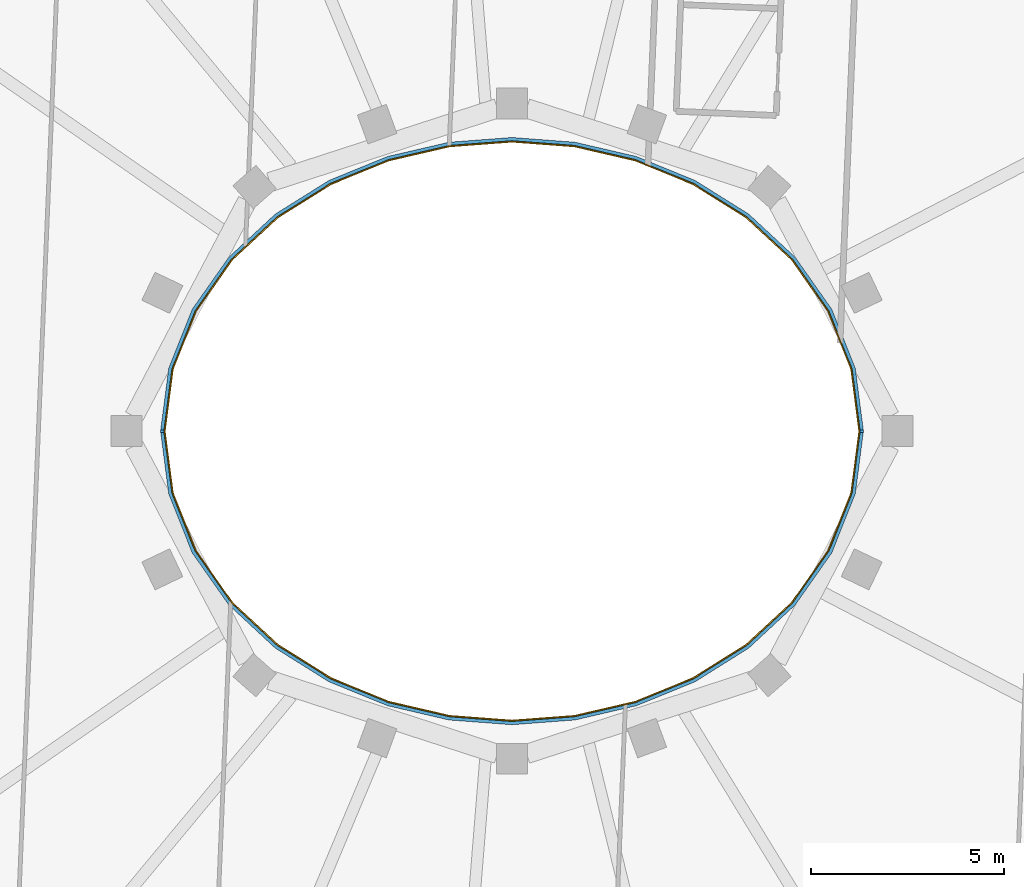
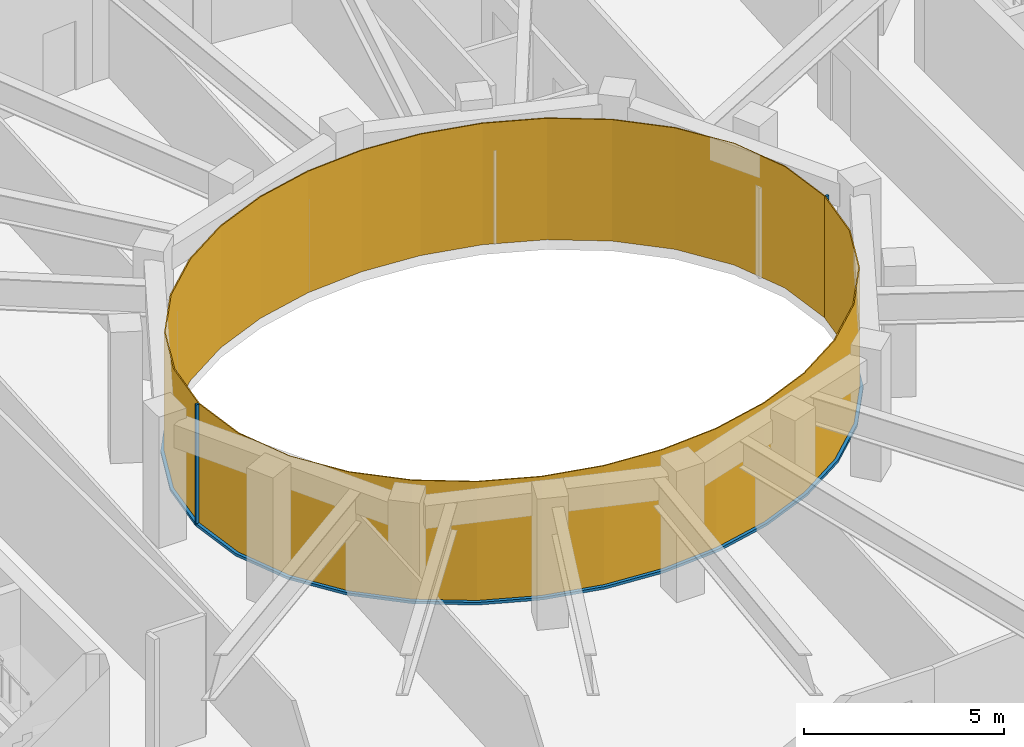
# One storey, part 9 of 14: 4 members, 2 curtain walls.
"""IFC4 building model written with IfcOpenShell, lengths in metres."""

from ifc_helpers import new_model, si_unit, direction, frame, origin, origin_2d, place, context, subcontext, project, spatial, polyline, rectangle, outline, extrude, material, layer, layer_set, material_profile, profile_set, type_object, element, aggregate, save


model = new_model("IFC4")

# Units and contexts
model_context = context("Model", 3, precision=1e-05, world=origin(), true_north=direction((0.0, 1.0)))
body_context = subcontext(model_context, "Body", "Model", "MODEL_VIEW")
ifc_project = project(units=[si_unit("LENGTHUNIT", "METRE"), si_unit("AREAUNIT", "SQUARE_METRE"), si_unit("VOLUMEUNIT", "CUBIC_METRE"), si_unit("PLANEANGLEUNIT", "RADIAN"), si_unit("MASSUNIT", "GRAM", prefix="KILO")], contexts=[model_context])

# Member
ifc_material_1 = material(Name="Steel S355 fire-resisting frame", Category="steel")
ifc_material_profile = material_profile(ifc_material_1, rectangle(XDim=0.090087890625, YDim=0.06005859375, at=origin_2d()), Name="90x60")
ifc_profile_set = profile_set([ifc_material_profile], Name="Steel S355 fire-resisting frame")
member_type_1 = type_object("IfcMemberType", Name="ENV-MULLION-W-90", PredefinedType="MULLION", material=ifc_profile_set)
site_placement = place(None, origin())
building_placement = place(site_placement, origin())
storey_placement = place(building_placement, frame((0.0, 0.0, 335.0)))
member_1_placement = place(storey_placement, frame((9.076904296875, 0.0, 0.0), z_axis=(0.0, 0.0, 1.0), x_axis=(1.0, 0.0, 0.0)))
member_1 = element("IfcMember", 1, at=member_1_placement, type_object=member_type_1, Name="Mullion W well vertex 01", PredefinedType="MULLION", context=body_context, shape_type="SweptSolid", body=[
    extrude(rectangle(XDim=0.090087890625, YDim=0.06005859375, at=origin_2d()), origin(), (0.0, 0.0, 1.0), 3.699951171875),
])

member_2_placement = place(storey_placement, frame((-9.076904296875, 0.0, 0.0), z_axis=(0.0, 0.0, 1.0), x_axis=(-1.0, 0.0, 0.0)))
member_2 = element("IfcMember", 2, at=member_2_placement, type_object=member_type_1, Name="Mullion W well vertex 17", PredefinedType="MULLION", context=body_context, shape_type="SweptSolid", body=[
    extrude(rectangle(XDim=0.090087890625, YDim=0.06005859375, at=origin_2d()), origin(), (0.0, 0.0, 1.0), 3.699951171875),
])

ifc_material_2 = material(Name="Steel S355 fire-resisting frame", Category="steel")
member_type_2 = type_object("IfcMemberType", Name="ENV-TRANSOM-W", PredefinedType="USERDEFINED", material=ifc_material_2)
member_3_placement = place(storey_placement, origin())
member_3 = element("IfcMember", 3, at=member_3_placement, type_object=member_type_2, Name="Transom W well 01-17", ObjectType="TRANSOM", PredefinedType="USERDEFINED", context=body_context, shape_type="SweptSolid", body=[
    extrude(outline(polyline([(9.119384765625, 0.02783203125), (8.910400390625, 1.63623046875), (8.29833984375, 3.167236328125), (7.35107421875, 4.5146484375), (6.1455078125, 5.6337890625), (4.75341796875, 6.50634765625), (3.233642578125, 7.127685546875), (1.635498046875, 7.498779296875), (0.0, 7.622314453125), (-1.635498046875, 7.498779296875), (-3.233642578125, 7.127685546875), (-4.75341796875, 6.50634765625), (-6.1455078125, 5.6337890625), (-7.35107421875, 4.5146484375), (-8.29833984375, 3.167236328125), (-8.910400390625, 1.63623046875), (-9.119384765625, 0.02783203125), (-9.02880859375, 0.02783203125), (-8.822509765625, 1.61328125), (-8.21875, 3.124267578125), (-7.282958984375, 4.455078125), (-6.090576171875, 5.56201171875), (-4.712158203125, 6.426025390625), (-3.206298828125, 7.04150390625), (-1.621826171875, 7.40966796875), (0.0, 7.531982421875), (1.621826171875, 7.40966796875), (3.206298828125, 7.04150390625), (4.712158203125, 6.426025390625), (6.090576171875, 5.56201171875), (7.282958984375, 4.455078125), (8.21875, 3.124267578125), (8.822509765625, 1.61328125), (9.02880859375, 0.02783203125), (9.119384765625, 0.02783203125)])), origin(), (0.0, 0.0, 1.0), 0.080078125),
])

member_4_placement = place(storey_placement, origin())
member_4 = element("IfcMember", 4, at=member_4_placement, type_object=member_type_2, Name="Transom W well 17-01", ObjectType="TRANSOM", PredefinedType="USERDEFINED", context=body_context, shape_type="SweptSolid", body=[
    extrude(outline(polyline([(-9.119384765625, -0.02783203125), (-8.910400390625, -1.63623046875), (-8.29833984375, -3.167236328125), (-7.35107421875, -4.5146484375), (-6.1455078125, -5.6337890625), (-4.75341796875, -6.50634765625), (-3.233642578125, -7.127685546875), (-1.635498046875, -7.498779296875), (0.0, -7.622314453125), (1.635498046875, -7.498779296875), (3.233642578125, -7.127685546875), (4.75341796875, -6.50634765625), (6.1455078125, -5.6337890625), (7.35107421875, -4.5146484375), (8.29833984375, -3.167236328125), (8.910400390625, -1.63623046875), (9.119384765625, -0.02783203125), (9.02880859375, -0.02783203125), (8.822509765625, -1.61328125), (8.21875, -3.124267578125), (7.282958984375, -4.455078125), (6.090576171875, -5.56201171875), (4.712158203125, -6.426025390625), (3.206298828125, -7.04150390625), (1.621826171875, -7.40966796875), (0.0, -7.531982421875), (-1.621826171875, -7.40966796875), (-3.206298828125, -7.04150390625), (-4.712158203125, -6.426025390625), (-6.090576171875, -5.56201171875), (-7.282958984375, -4.455078125), (-8.21875, -3.124267578125), (-8.822509765625, -1.61328125), (-9.02880859375, -0.02783203125), (-9.119384765625, -0.02783203125)])), origin(), (0.0, 0.0, 1.0), 0.080078125),
])

# Site, building, storey
site = spatial("IfcSite", under=ifc_project, at=site_placement, CompositionType="ELEMENT")
building = spatial("IfcBuilding", under=site, at=building_placement, Name="Noorbagh Ring Tower", CompositionType="ELEMENT")
storey = spatial("IfcBuildingStorey", under=building, at=storey_placement, Name="L73", CompositionType="ELEMENT", Elevation=335.0)

# Curtain wall
ifc_material_3 = material(Name="Glass fire-resisting E60 laminated", Category="glass")
ifc_layer = layer(ifc_material_3, 0.031982421875)
ifc_layer_set = layer_set([ifc_layer], Name="Glass fire-resisting E60 laminated")
curtain_wall_type = type_object("IfcCurtainWallType", Name="ENV-CW-W", PredefinedType="NOTDEFINED", material=ifc_layer_set)
curtain_wall_1_placement = place(storey_placement, origin())
curtain_wall_1 = element("IfcCurtainWall", 5, at=curtain_wall_1_placement, inside=storey, type_object=curtain_wall_type, Name="Curtain wall W W01", PredefinedType="NOTDEFINED", context=body_context, shape_type="SweptSolid", body=[
    extrude(outline(polyline([(9.0322265625, 0.0), (8.822509765625, 1.61328125), (8.21875, 3.124267578125), (7.282958984375, 4.455078125), (6.090576171875, 5.56201171875), (4.712158203125, 6.426025390625), (3.206298828125, 7.04150390625), (1.621826171875, 7.40966796875), (0.0, 7.531982421875), (-1.621826171875, 7.40966796875), (-3.206298828125, 7.04150390625), (-4.712158203125, 6.426025390625), (-6.090576171875, 5.56201171875), (-7.282958984375, 4.455078125), (-8.21875, 3.124267578125), (-8.822509765625, 1.61328125), (-9.0322265625, 0.0), (-9.0, 0.0), (-8.79150390625, 1.605224609375), (-8.1904296875, 3.10888671875), (-7.2587890625, 4.43408203125), (-6.071044921875, 5.53662109375), (-4.697509765625, 6.3974609375), (-3.196533203125, 7.010986328125), (-1.6171875, 7.3779296875), (0.0, 7.5), (1.6171875, 7.3779296875), (3.196533203125, 7.010986328125), (4.697509765625, 6.3974609375), (6.071044921875, 5.53662109375), (7.2587890625, 4.43408203125), (8.1904296875, 3.10888671875), (8.79150390625, 1.605224609375), (9.0, 0.0), (9.0322265625, 0.0)])), origin(), (0.0, 0.0, 1.0), 3.699951171875),
])

aggregate(curtain_wall_1, [member_1, member_2, member_3])

curtain_wall_2_placement = place(storey_placement, origin())
curtain_wall_2 = element("IfcCurtainWall", 6, at=curtain_wall_2_placement, inside=storey, type_object=curtain_wall_type, Name="Curtain wall W W17", PredefinedType="NOTDEFINED", context=body_context, shape_type="SweptSolid", body=[
    extrude(outline(polyline([(-9.0322265625, 0.0), (-8.822509765625, -1.61328125), (-8.21875, -3.124267578125), (-7.282958984375, -4.455078125), (-6.090576171875, -5.56201171875), (-4.712158203125, -6.426025390625), (-3.206298828125, -7.04150390625), (-1.621826171875, -7.40966796875), (0.0, -7.531982421875), (1.621826171875, -7.40966796875), (3.206298828125, -7.04150390625), (4.712158203125, -6.426025390625), (6.090576171875, -5.56201171875), (7.282958984375, -4.455078125), (8.21875, -3.124267578125), (8.822509765625, -1.61328125), (9.0322265625, 0.0), (9.0, 0.0), (8.79150390625, -1.605224609375), (8.1904296875, -3.10888671875), (7.2587890625, -4.43408203125), (6.071044921875, -5.53662109375), (4.697509765625, -6.3974609375), (3.196533203125, -7.010986328125), (1.6171875, -7.3779296875), (0.0, -7.5), (-1.6171875, -7.3779296875), (-3.196533203125, -7.010986328125), (-4.697509765625, -6.3974609375), (-6.071044921875, -5.53662109375), (-7.2587890625, -4.43408203125), (-8.1904296875, -3.10888671875), (-8.79150390625, -1.605224609375), (-9.0, 0.0), (-9.0322265625, 0.0)])), origin(), (0.0, 0.0, 1.0), 3.699951171875),
])

aggregate(curtain_wall_2, [member_4])

save(model, "model.ifc")
